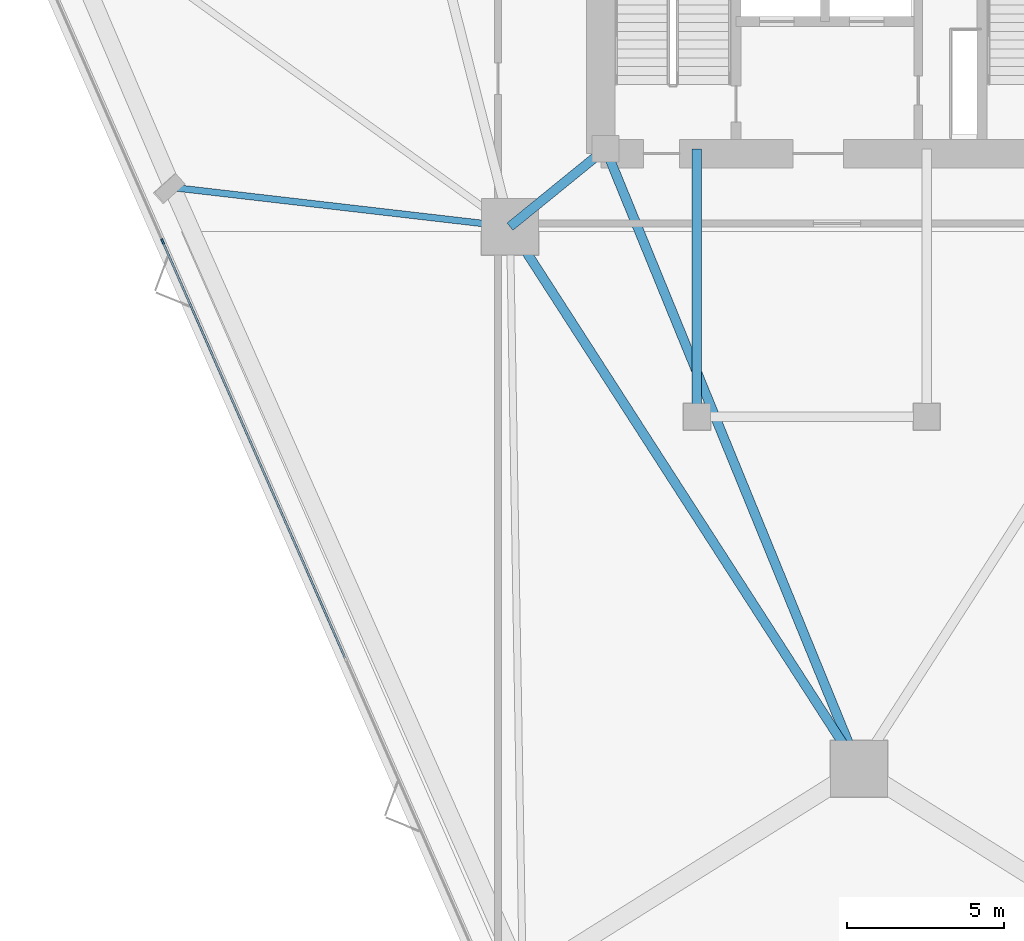
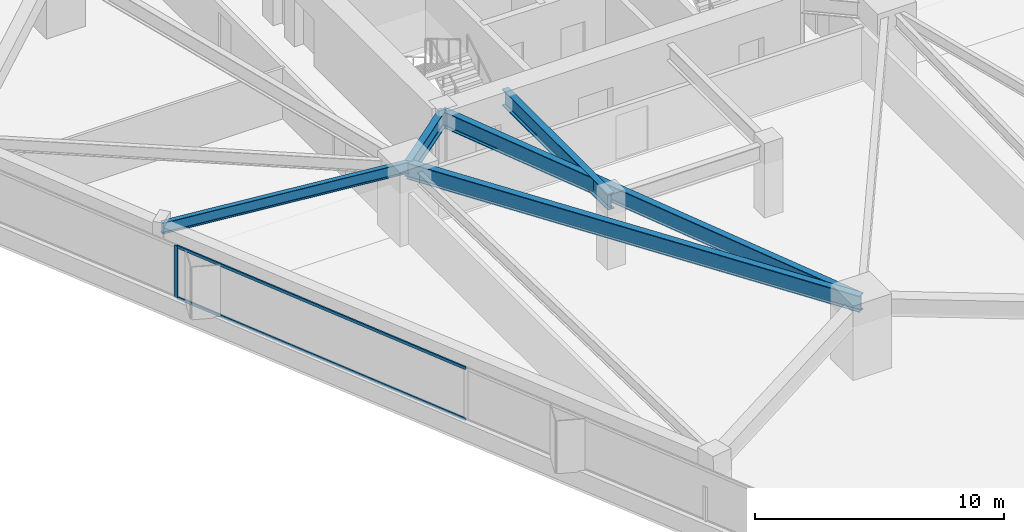
# One storey, part 6 of 21: 5 beams, 3 members, 1 element without a shape of its own.
"""IFC4 building model written with IfcOpenShell, lengths in metres."""

from ifc_helpers import new_model, si_unit, direction, frame, origin, origin_2d, place, context, subcontext, project, spatial, rectangle, i_section, extrude, material, layer, layer_set, material_profile, profile_set, type_object, element, aggregate, save


model = new_model("IFC4")

# Units and contexts
model_context = context("Model", 3, precision=1e-05, world=origin(), true_north=direction((0.0, 1.0)))
body_context = subcontext(model_context, "Body", "Model", "MODEL_VIEW")
ifc_project = project(units=[si_unit("LENGTHUNIT", "METRE"), si_unit("AREAUNIT", "SQUARE_METRE"), si_unit("VOLUMEUNIT", "CUBIC_METRE"), si_unit("PLANEANGLEUNIT", "RADIAN"), si_unit("MASSUNIT", "GRAM", prefix="KILO")], contexts=[model_context])

# Site, building, storey
site_placement = place(None, origin())
site = spatial("IfcSite", under=ifc_project, at=site_placement, CompositionType="ELEMENT")
building_placement = place(site_placement, origin())
building = spatial("IfcBuilding", under=site, at=building_placement, Name="Talyreon Biosciences Tower", CompositionType="ELEMENT")
storey_placement = place(building_placement, frame((0.0, 0.0, 33.75)))
storey = spatial("IfcBuildingStorey", under=building, at=storey_placement, Name="L08", CompositionType="ELEMENT", Elevation=33.75)

# Curtain wall, members
ifc_material_1 = material(Name="Thermally broken aluminium and low-E glazing", Category="aluminium")
ifc_layer = layer(ifc_material_1, 0.195068359375)
ifc_layer_set = layer_set([ifc_layer], Name="Thermally broken aluminium and low-E glazing")
curtain_wall_type = type_object("IfcCurtainWallType", Name="CurtainWall_Zone1WetLab", PredefinedType="NOTDEFINED", material=ifc_layer_set)
curtain_wall_placement = place(storey_placement, origin())
curtain_wall = element("IfcCurtainWall", 1, at=curtain_wall_placement, inside=storey, type_object=curtain_wall_type, Name="L08 Unitised Curtain Wall FCW-L08-00", PredefinedType="NOTDEFINED")
ifc_material_2 = material(Name="Anodised thermally broken aluminium", Category="aluminium")
ifc_material_profile_1 = material_profile(ifc_material_2, rectangle(XDim=0.06494140625, YDim=0.179931640625, at=origin_2d()), Name="ALUM MULLION 65x180")
ifc_profile_set_1 = profile_set([ifc_material_profile_1], Name="Anodised thermally broken aluminium")
member_type_1 = type_object("IfcMemberType", Name="CWMullion_65x180", PredefinedType="MULLION", material=ifc_profile_set_1)
member_1_placement = place(storey_placement, frame((43.882568359375, 58.40869140625, 0.81005859375), z_axis=(0.0, 0.0, 1.0), x_axis=(-0.915980408101, -0.401222995321, 0.0)))
member_1 = element("IfcMember", 2, at=member_1_placement, type_object=member_type_1, Name="CW2 mullion 4", PredefinedType="MULLION", context=body_context, shape_type="SweptSolid", body=[
    extrude(rectangle(XDim=0.06494140625, YDim=0.179931640625, at=origin_2d()), origin(), (0.0, 0.0, 1.0), 2.56494140625),
])
ifc_material_profile_2 = material_profile(ifc_material_2, rectangle(XDim=0.06494140625, YDim=0.139892578125, at=origin_2d()), Name="ALUM TRANSOM 65x140")
ifc_profile_set_2 = profile_set([ifc_material_profile_2], Name="Anodised thermally broken aluminium")
member_type_2 = type_object("IfcMemberType", Name="CWTransom_65x140", PredefinedType="USERDEFINED", material=ifc_profile_set_2)
member_2_placement = place(storey_placement, frame((49.6787109375, 45.176025390625, 0.842529296875), z_axis=(-0.401223081321, 0.915980370431, 0.0), x_axis=(-0.915980370431, -0.401223081321, 0.0)))
member_2 = element("IfcMember", 3, at=member_2_placement, type_object=member_type_2, Name="CW2 transom 3.1", ObjectType="TRANSOM", PredefinedType="USERDEFINED", context=body_context, shape_type="SweptSolid", body=[
    extrude(rectangle(XDim=0.06494140625, YDim=0.139892578125, at=origin_2d()), origin(), (0.0, 0.0, 1.0), 14.413818359375),
])
member_3_placement = place(storey_placement, frame((49.6787109375, 45.176025390625, 3.342529296875), z_axis=(-0.401223081321, 0.915980370431, 0.0), x_axis=(-0.915980370431, -0.401223081321, 0.0)))
member_3 = element("IfcMember", 4, at=member_3_placement, type_object=member_type_2, Name="CW2 transom 3.2", ObjectType="TRANSOM", PredefinedType="USERDEFINED", context=body_context, shape_type="SweptSolid", body=[
    extrude(rectangle(XDim=0.06494140625, YDim=0.139892578125, at=origin_2d()), origin(), (0.0, 0.0, 1.0), 14.413818359375),
])
aggregate(curtain_wall, [member_1, member_2, member_3])

# Beams
ifc_material_3 = material(Name="Steel SM355", Category="steel")
ifc_material_profile_3 = material_profile(ifc_material_3, i_section(OverallWidth=0.300048828125, OverallDepth=0.800048828125, WebThickness=0.017578125, FlangeThickness=0.032958984375, FilletRadius=0.030029296875, at=origin_2d()), Name="HE800B")
ifc_profile_set_3 = profile_set([ifc_material_profile_3], Name="Steel SM355")
beam_type_1 = type_object("IfcBeamType", Name="SteelGirder_HE800B", PredefinedType="BEAM", material=ifc_profile_set_3)
beam_1_placement = place(storey_placement, frame((54.913818359375, 58.88037109375, 2.97509765625), z_axis=(0.541463723609, -0.840724114092, 0.0), x_axis=(0.840724114092, 0.541463723609, 0.0)))
element("IfcBeam", 5, at=beam_1_placement, inside=storey, type_object=beam_type_1, Name="L08 Mega-Ring Girder 6", PredefinedType="BEAM", context=body_context, shape_type="SweptSolid", body=[
    extrude(i_section(OverallWidth=0.300048828125, OverallDepth=0.800048828125, WebThickness=0.017578125, FlangeThickness=0.032958984375, FilletRadius=0.030029296875, at=origin_2d()), origin(), (0.0, 0.0, 1.0), 20.474365234375),
])
beam_2_placement = place(storey_placement, frame((57.949951171875, 61.35009765625, 2.97509765625), z_axis=(0.378547014545, -0.925582064314, 0.0), x_axis=(0.925582064314, 0.378547014545, 0.0)))
element("IfcBeam", 6, at=beam_2_placement, inside=storey, type_object=beam_type_1, Name="L08 Radial Primary Girder 1", PredefinedType="BEAM", context=body_context, shape_type="SweptSolid", body=[
    extrude(i_section(OverallWidth=0.300048828125, OverallDepth=0.800048828125, WebThickness=0.017578125, FlangeThickness=0.032958984375, FilletRadius=0.030029296875, at=origin_2d()), origin(), (0.0, 0.0, 1.0), 21.265625),
])
beam_3_placement = place(storey_placement, frame((57.949951171875, 61.35009765625, 2.97509765625), z_axis=(-0.775755154013, -0.631034025249, 0.0), x_axis=(0.631034025249, -0.775755154013, 0.0)))
element("IfcBeam", 7, at=beam_3_placement, inside=storey, type_object=beam_type_1, Name="L08 Radial Primary Girder 6", PredefinedType="BEAM", context=body_context, shape_type="SweptSolid", body=[
    extrude(i_section(OverallWidth=0.300048828125, OverallDepth=0.800048828125, WebThickness=0.017578125, FlangeThickness=0.032958984375, FilletRadius=0.030029296875, at=origin_2d()), origin(), (0.0, 0.0, 1.0), 3.913818359375),
])
beam_4_placement = place(storey_placement, frame((60.85009765625, 52.840087890625, 2.97509765625), z_axis=(0.0, 1.0, 0.0), x_axis=(-1.0, 0.0, 0.0)))
element("IfcBeam", 8, at=beam_4_placement, inside=storey, type_object=beam_type_1, Name="L08 Crown Shaft Tie Girder W", PredefinedType="BEAM", context=body_context, shape_type="SweptSolid", body=[
    extrude(i_section(OverallWidth=0.300048828125, OverallDepth=0.800048828125, WebThickness=0.017578125, FlangeThickness=0.032958984375, FilletRadius=0.030029296875, at=origin_2d()), origin(), (0.0, 0.0, 1.0), 8.510009765625),
])
ifc_material_profile_4 = material_profile(ifc_material_3, i_section(OverallWidth=0.2099609375, OverallDepth=0.550048828125, WebThickness=0.010986328125, FlangeThickness=0.01708984375, FilletRadius=0.02392578125, at=origin_2d()), Name="IPE550")
ifc_profile_set_4 = profile_set([ifc_material_profile_4], Name="Steel SM355")
beam_type_2 = type_object("IfcBeamType", Name="SteelJoist_IPE550", PredefinedType="JOIST", material=ifc_profile_set_4)
beam_5_placement = place(storey_placement, frame((54.913818359375, 58.88037109375, 3.10009765625), z_axis=(-0.993342210906, 0.115200920279, 0.0), x_axis=(-0.115200920279, -0.993342210906, 0.0)))
element("IfcBeam", 9, at=beam_5_placement, inside=storey, type_object=beam_type_2, Name="L08 Radial Composite Floor Joist PL-SW", PredefinedType="JOIST", context=body_context, shape_type="SweptSolid", body=[
    extrude(i_section(OverallWidth=0.2099609375, OverallDepth=0.550048828125, WebThickness=0.010986328125, FlangeThickness=0.01708984375, FilletRadius=0.02392578125, at=origin_2d()), origin(), (0.0, 0.0, 1.0), 10.79541015625),
])

save(model, "model.ifc")
